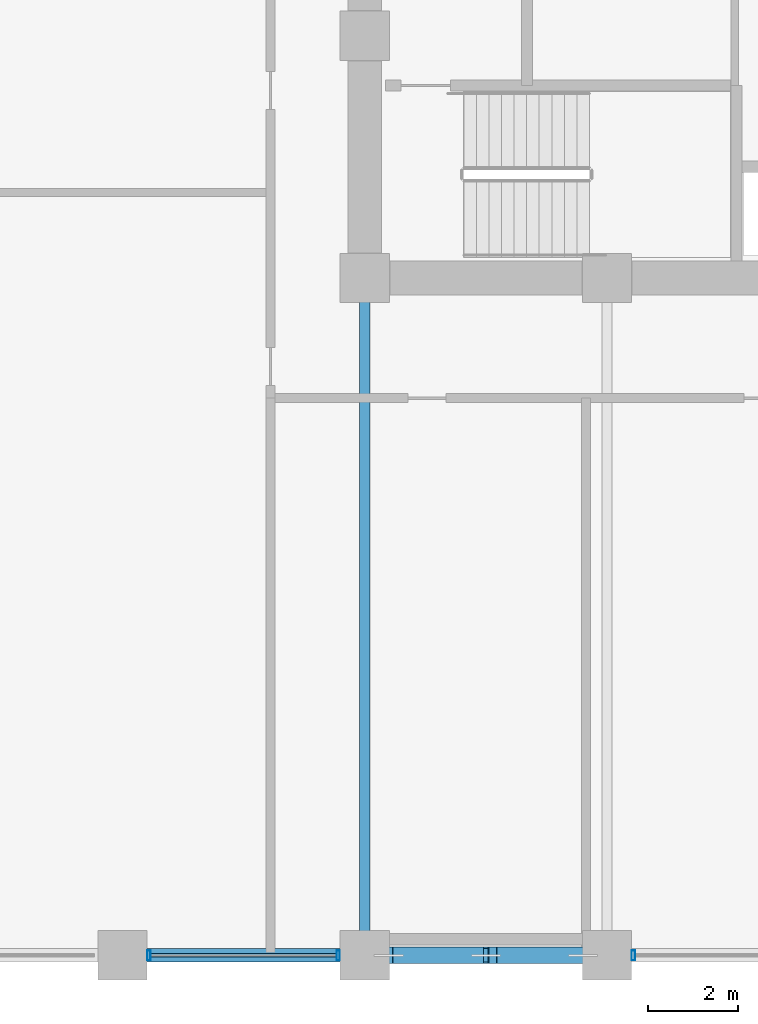
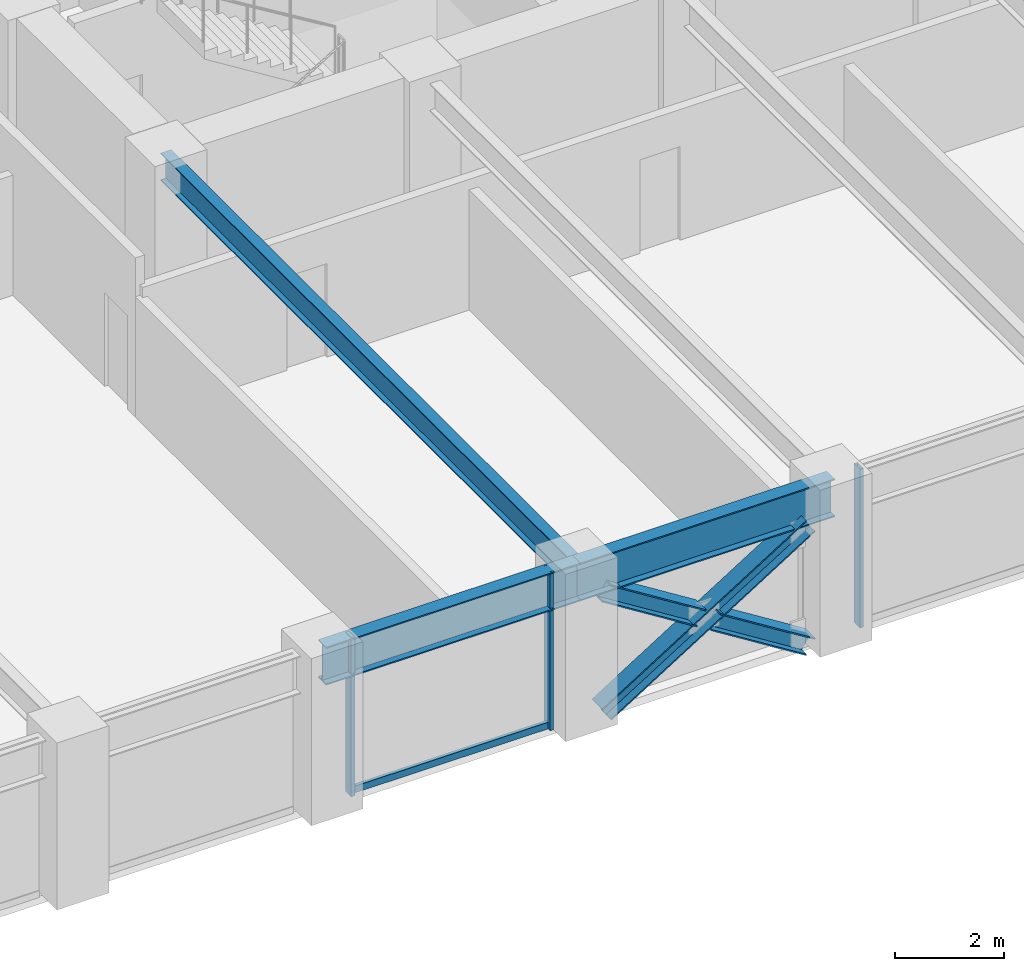
# One storey, part 4 of 25: 7 members, 3 beams, 2 elements without a shape of their own.
"""IFC4 building model written with IfcOpenShell, lengths in metres."""

from ifc_helpers import new_model, si_unit, direction, frame, origin, origin_2d, place, context, subcontext, project, spatial, hollow_rectangle, i_section, extrude, material, layer, layer_set, material_profile, profile_set, type_object, element, aggregate, save


model = new_model("IFC4")

# Units and contexts
model_context = context("Model", 3, precision=1e-05, world=origin(), true_north=direction((0.0, 1.0)))
body_context = subcontext(model_context, "Body", "Model", "MODEL_VIEW")
ifc_project = project(units=[si_unit("LENGTHUNIT", "METRE"), si_unit("AREAUNIT", "SQUARE_METRE"), si_unit("VOLUMEUNIT", "CUBIC_METRE"), si_unit("PLANEANGLEUNIT", "RADIAN"), si_unit("MASSUNIT", "GRAM", prefix="KILO")], contexts=[model_context])

# Site, building, storey
site_placement = place(None, origin())
site = spatial("IfcSite", under=ifc_project, at=site_placement, CompositionType="ELEMENT")
building_placement = place(site_placement, origin())
building = spatial("IfcBuilding", under=site, at=building_placement, Name="Surkhivell Harbour Commons", CompositionType="ELEMENT")
storey_placement = place(building_placement, frame((0.0, 0.0, 120.75)))
storey = spatial("IfcBuildingStorey", under=building, at=storey_placement, Name="L31", CompositionType="ELEMENT", Elevation=120.75)

# Beams
ifc_material_1 = material(Name="Steel S355", Category="steel")
ifc_material_profile_1 = material_profile(ifc_material_1, i_section(OverallWidth=0.22998046875, OverallDepth=0.616943359375, WebThickness=0.01318359375, FlangeThickness=0.022216796875, at=origin_2d()), Name="UB610x229x140")
ifc_profile_set_1 = profile_set([ifc_material_profile_1], Name="Steel S355")
beam_type_1 = type_object("IfcBeamType", Name="BM-GRD-610B", PredefinedType="BEAM", material=ifc_profile_set_1)
beam_1_placement = place(storey_placement, frame((-10.800048828125, -25.89990234375, 3.261474609375), z_axis=(0.0, 1.0, 0.0), x_axis=(-1.0, 0.0, 0.0)))
element("IfcBeam", 1, at=beam_1_placement, inside=storey, type_object=beam_type_1, Name="L31 Floor Girder (-10.8,-25.9)", PredefinedType="BEAM", context=body_context, shape_type="SweptSolid", body=[
    extrude(i_section(OverallWidth=0.22998046875, OverallDepth=0.616943359375, WebThickness=0.01318359375, FlangeThickness=0.022216796875, at=origin_2d()), origin(), (0.0, 0.0, 1.0), 15.099853515625),
])
ifc_material_2 = material(Name="Steel S460", Category="steel")
ifc_material_profile_2 = material_profile(ifc_material_2, i_section(OverallWidth=0.2939453125, OverallDepth=0.85107421875, WebThickness=0.01611328125, FlangeThickness=0.02685546875, at=origin_2d()), Name="UB838x292x226")
ifc_profile_set_2 = profile_set([ifc_material_profile_2], Name="Steel S460")
beam_type_2 = type_object("IfcBeamType", Name="BM-SPN-838", PredefinedType="SPANDREL", material=ifc_profile_set_2)
beam_2_placement = place(storey_placement, frame((-16.199951171875, -25.89990234375, 3.14453125), z_axis=(1.0, 0.0, 0.0), x_axis=(0.0, 1.0, 0.0)))
element("IfcBeam", 2, at=beam_2_placement, inside=storey, type_object=beam_type_2, Name="L31 Tube Spandrel (-16.2,-25.9)", PredefinedType="SPANDREL", context=body_context, shape_type="SweptSolid", body=[
    extrude(i_section(OverallWidth=0.2939453125, OverallDepth=0.85107421875, WebThickness=0.01611328125, FlangeThickness=0.02685546875, at=origin_2d()), origin(), (0.0, 0.0, 1.0), 5.39990234375),
])
beam_3_placement = place(storey_placement, frame((-10.800048828125, -25.89990234375, 3.14453125), z_axis=(1.0, 0.0, 0.0), x_axis=(0.0, 1.0, 0.0)))
element("IfcBeam", 3, at=beam_3_placement, inside=storey, type_object=beam_type_2, Name="L31 Tube Spandrel (-10.8,-25.9)", PredefinedType="SPANDREL", context=body_context, shape_type="SweptSolid", body=[
    extrude(i_section(OverallWidth=0.2939453125, OverallDepth=0.85107421875, WebThickness=0.01611328125, FlangeThickness=0.02685546875, at=origin_2d()), origin(), (0.0, 0.0, 1.0), 5.400146484375),
])

# Curtain wall, members
ifc_material_3 = material(Name="Anodised pale-metal aluminium and insulated glazing", Category="aluminium")
ifc_layer = layer(ifc_material_3, 0.205078125)
ifc_layer_set = layer_set([ifc_layer], Name="Anodised pale-metal aluminium and insulated glazing")
curtain_wall_type = type_object("IfcCurtainWallType", Name="CW-SYS-Z2", PredefinedType="NOTDEFINED", material=ifc_layer_set)
curtain_wall_1_placement = place(storey_placement, origin())
curtain_wall_1 = element("IfcCurtainWall", 4, at=curtain_wall_1_placement, inside=storey, type_object=curtain_wall_type, Name="L31 Curtain Wall CW-L31-E00S1", PredefinedType="NOTDEFINED")
ifc_material_4 = material(Name="Anodised pale-metal aluminium alloy 6063-T6", Category="aluminium")
ifc_material_profile_3 = material_profile(ifc_material_4, hollow_rectangle(XDim=0.074951171875, YDim=0.219970703125, WallThickness=0.00390625, at=origin_2d()), Name="ALU-MULL-75x220")
ifc_profile_set_3 = profile_set([ifc_material_profile_3], Name="Anodised pale-metal aluminium alloy 6063-T6")
member_type_1 = type_object("IfcMemberType", Name="CWM-220", PredefinedType="MULLION", material=ifc_profile_set_3)
member_1_placement = place(storey_placement, frame((-15.610595703125, -25.89990234375, 0.0), z_axis=(0.0, 0.0, 1.0), x_axis=(1.0, 0.0, 0.0)))
member_1 = element("IfcMember", 5, at=member_1_placement, type_object=member_type_1, Name="CW-Z2 mullion 3", PredefinedType="MULLION", context=body_context, shape_type="SweptSolid", body=[
    extrude(hollow_rectangle(XDim=0.074951171875, YDim=0.219970703125, WallThickness=0.00390625, at=origin_2d()), origin(), (0.0, 0.0, 1.0), 3.570068359375),
])
member_2_placement = place(storey_placement, frame((-11.389404296875, -25.89990234375, 0.0), z_axis=(0.0, 0.0, 1.0), x_axis=(1.0, 0.0, 0.0)))
member_2 = element("IfcMember", 6, at=member_2_placement, type_object=member_type_1, Name="CW-Z2 mullion 4", PredefinedType="MULLION", context=body_context, shape_type="SweptSolid", body=[
    extrude(hollow_rectangle(XDim=0.074951171875, YDim=0.219970703125, WallThickness=0.00390625, at=origin_2d()), origin(), (0.0, 0.0, 1.0), 3.570068359375),
])

# Curtain wall, member
curtain_wall_2_placement = place(storey_placement, origin())
curtain_wall_2 = element("IfcCurtainWall", 7, at=curtain_wall_2_placement, inside=storey, type_object=curtain_wall_type, Name="L31 Curtain Wall CW-L31-E00S2", PredefinedType="NOTDEFINED")
member_3_placement = place(storey_placement, frame((-4.810546875, -25.89990234375, 0.0), z_axis=(0.0, 0.0, 1.0), x_axis=(1.0, 0.0, 0.0)))
member_3 = element("IfcMember", 8, at=member_3_placement, type_object=member_type_1, Name="CW-Z2 mullion 1", PredefinedType="MULLION", context=body_context, shape_type="SweptSolid", body=[
    extrude(hollow_rectangle(XDim=0.074951171875, YDim=0.219970703125, WallThickness=0.00390625, at=origin_2d()), origin(), (0.0, 0.0, 1.0), 3.570068359375),
])
aggregate(curtain_wall_2, [member_3])

# Member
ifc_material_profile_4 = material_profile(ifc_material_4, hollow_rectangle(XDim=0.074951171875, YDim=0.14990234375, WallThickness=0.00341796875, at=origin_2d()), Name="ALU-TRAN-75x150")
ifc_profile_set_4 = profile_set([ifc_material_profile_4], Name="Anodised pale-metal aluminium alloy 6063-T6")
member_type_2 = type_object("IfcMemberType", Name="CWT-150", PredefinedType="USERDEFINED", material=ifc_profile_set_4)
member_4_placement = place(storey_placement, frame((-15.572998046875, -25.89990234375, 0.074951171875), z_axis=(1.0, 0.0, 0.0), x_axis=(0.0, 1.0, 0.0)))
member_4 = element("IfcMember", 9, at=member_4_placement, type_object=member_type_2, Name="CW-Z2 transom 3.1", ObjectType="TRANSOM", PredefinedType="USERDEFINED", context=body_context, shape_type="SweptSolid", body=[
    extrude(hollow_rectangle(XDim=0.074951171875, YDim=0.14990234375, WallThickness=0.00341796875, at=origin_2d()), origin(), (0.0, 0.0, 1.0), 4.14599609375),
])

aggregate(curtain_wall_1, [member_1, member_2, member_4])

# Members
ifc_material_profile_5 = material_profile(ifc_material_2, i_section(OverallWidth=0.375, OverallDepth=0.375, WebThickness=0.0166015625, FlangeThickness=0.027099609375, at=origin_2d()), Name="UC356x368x202")
ifc_profile_set_5 = profile_set([ifc_material_profile_5], Name="Steel S460")
member_type_3 = type_object("IfcMemberType", Name="MEM-BRC-UC356", PredefinedType="BRACE", material=ifc_profile_set_5)
member_5_placement = place(storey_placement, frame((-10.264892578125, -25.89990234375, 0.008056640625), z_axis=(0.847232535652, 0.0, 0.53122220448), x_axis=(0.0, 1.0, 0.0)))
element("IfcMember", 10, at=member_5_placement, inside=storey, type_object=member_type_3, Name="L31 Perimeter Mega-Brace MB- 07", PredefinedType="BRACE", context=body_context, shape_type="SweptSolid", body=[
    extrude(i_section(OverallWidth=0.375, OverallDepth=0.375, WebThickness=0.0166015625, FlangeThickness=0.027099609375, at=origin_2d()), origin(), (0.0, 0.0, 1.0), 5.110595703125),
])
member_6_placement = place(storey_placement, frame((-5.93505859375, -25.89990234375, 0.008056640625), z_axis=(-0.847206308526, 0.0, 0.53126403115), x_axis=(0.0, -1.0, 0.0)))
element("IfcMember", 11, at=member_6_placement, inside=storey, type_object=member_type_3, Name="L31 Perimeter Mega-Brace MB- 08", PredefinedType="BRACE", context=body_context, shape_type="SweptSolid", body=[
    extrude(i_section(OverallWidth=0.375, OverallDepth=0.375, WebThickness=0.0166015625, FlangeThickness=0.027099609375, at=origin_2d()), origin(), (0.0, 0.0, 1.0), 2.37548828125),
])
member_7_placement = place(storey_placement, frame((-8.25244140625, -25.89990234375, 1.461181640625), z_axis=(-0.84725256761, 0.0, 0.53119025469), x_axis=(0.0, -1.0, 0.0)))
element("IfcMember", 12, at=member_7_placement, inside=storey, type_object=member_type_3, Name="L31 Perimeter Mega-Brace MB- 09", PredefinedType="BRACE", context=body_context, shape_type="SweptSolid", body=[
    extrude(i_section(OverallWidth=0.375, OverallDepth=0.375, WebThickness=0.0166015625, FlangeThickness=0.027099609375, at=origin_2d()), origin(), (0.0, 0.0, 1.0), 2.375244140625),
])

save(model, "model.ifc")
